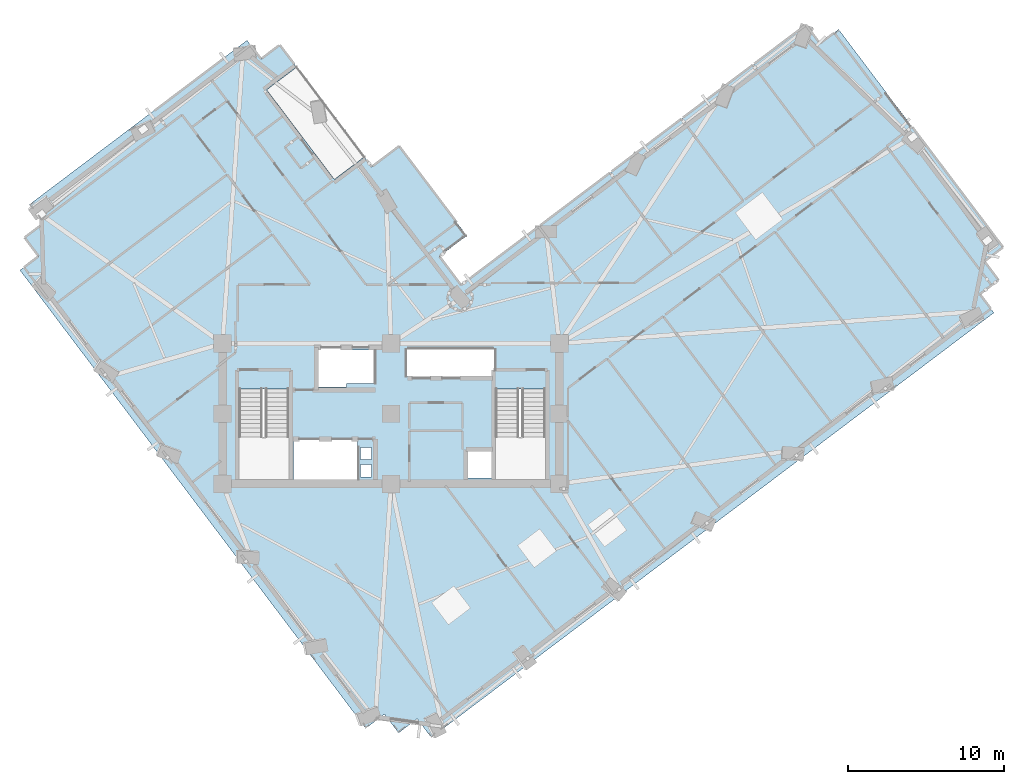
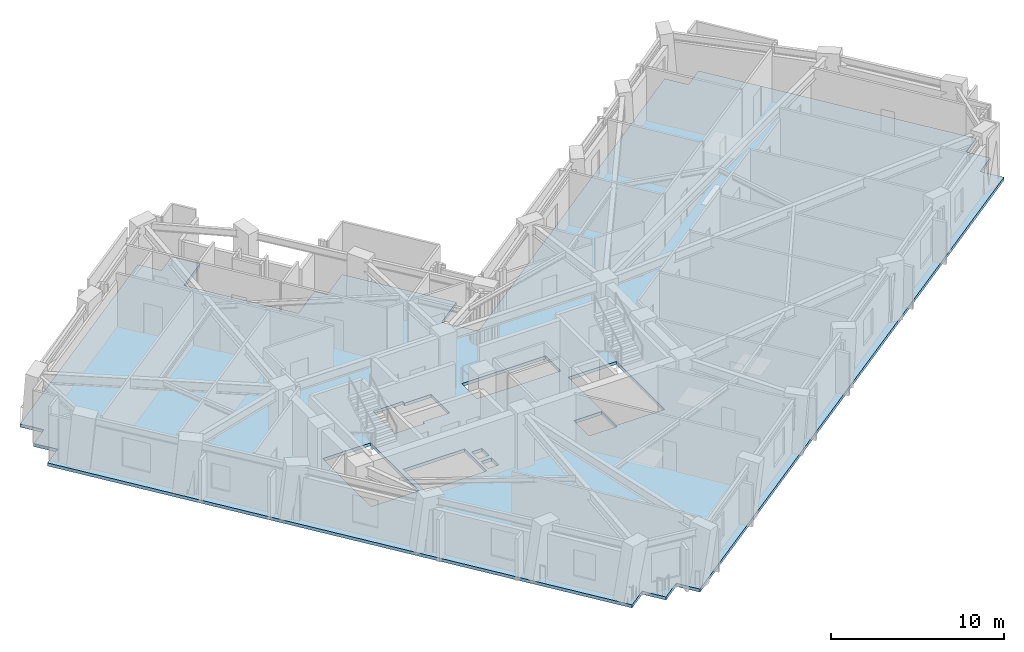
# One storey, part 3 of 15: 1 slab.
"""IFC4 building model written with IfcOpenShell, lengths in metres."""

from ifc_helpers import new_model, si_unit, direction, frame, origin, place, context, subcontext, project, spatial, polyline, outline, extrude, material, layer, layer_set, type_object, element, save


model = new_model("IFC4")

# Units and contexts
model_context = context("Model", 3, precision=1e-05, world=origin(), true_north=direction((0.0, 1.0)))
body_context = subcontext(model_context, "Body", "Model", "MODEL_VIEW")
ifc_project = project(units=[si_unit("LENGTHUNIT", "METRE"), si_unit("AREAUNIT", "SQUARE_METRE"), si_unit("VOLUMEUNIT", "CUBIC_METRE"), si_unit("PLANEANGLEUNIT", "RADIAN"), si_unit("MASSUNIT", "GRAM", prefix="KILO")], contexts=[model_context])

# Site, building, storey
site_placement = place(None, origin())
site = spatial("IfcSite", under=ifc_project, at=site_placement, CompositionType="ELEMENT")
building_placement = place(site_placement, origin())
building = spatial("IfcBuilding", under=site, at=building_placement, Name="Gaonmaruhae Medical Tower", CompositionType="ELEMENT")
storey_placement = place(building_placement, frame((0.0, 0.0, 181.800048828125)))
storey = spatial("IfcBuildingStorey", under=building, at=storey_placement, Name="L43", CompositionType="ELEMENT", Elevation=181.800048828125)

# Slab
ifc_material = material(Name="Concrete C40/50", Category="concrete")
ifc_layer = layer(ifc_material, 0.219970703125)
ifc_layer_set = layer_set([ifc_layer], Name="Concrete C40/50")
slab_type = type_object("IfcSlabType", Name="FS-220 Clinical Ward Composite Floor Slab", PredefinedType="FLOOR", material=ifc_layer_set)
slab_placement = place(storey_placement, frame((0.0, 0.0, -0.219970703125)))
element("IfcSlab", 1, at=slab_placement, inside=storey, type_object=slab_type, Name="L43 Structural Slab 1", PredefinedType="FLOOR", context=body_context, shape_type="SweptSolid", body=[
    extrude(outline(polyline([(51.40087890625, 37.236083984375), (52.3046875, 36.038818359375), (53.501953125, 36.942626953125), (64.0458984375, 22.9755859375), (62.8486328125, 22.072021484375), (63.75244140625, 20.874755859375), (62.555419921875, 19.970947265625), (63.458984375, 18.773681640625), (27.384521484375, -8.459716796875), (26.480712890625, -7.262451171875), (25.28369140625, -8.166259765625), (24.3798828125, -6.968994140625), (23.1826171875, -7.872802734375), (1.01025390625, 21.49755859375), (2.20751953125, 22.4013671875), (1.3037109375, 23.598388671875), (2.500732421875, 24.502197265625), (1.596923828125, 25.699462890625), (15.56396484375, 36.243408203125), (16.4677734375, 35.046142578125), (17.664794921875, 35.949951171875), (18.745849609375, 34.518310546875), (16.830322265625, 33.072021484375), (21.16845703125, 27.32568359375), (23.083984375, 28.771728515625), (23.56591796875, 28.13330078125), (25.32177734375, 29.458740234375), (29.659912109375, 23.71240234375), (27.904052734375, 22.386962890625), (29.293212890625, 20.54638671875), (51.40087890625, 37.236083984375)]), holes=[polyline([(23.550048828125, 8.25), (22.85009765625, 8.25), (22.85009765625, 9.050048828125), (23.550048828125, 9.050048828125), (23.550048828125, 8.25)]), polyline([(31.425048828125, 9.925048828125), (31.425048828125, 8.175048828125), (29.574951171875, 8.175048828125), (29.574951171875, 9.925048828125), (31.425048828125, 9.925048828125)]), polyline([(22.64990234375, 10.625), (22.64990234375, 8.074951171875), (18.550048828125, 8.074951171875), (18.550048828125, 10.625), (22.64990234375, 10.625)]), polyline([(23.550048828125, 9.35009765625), (22.85009765625, 9.35009765625), (22.85009765625, 10.14990234375), (23.550048828125, 10.14990234375), (23.550048828125, 9.35009765625)]), polyline([(15.050048828125, 13.889892578125), (18.25, 13.889892578125), (18.25, 8.300048828125), (15.050048828125, 8.300048828125), (15.050048828125, 13.889892578125)]), polyline([(31.5, 13.889892578125), (34.699951171875, 13.889892578125), (34.699951171875, 8.300048828125), (31.5, 8.300048828125), (31.5, 13.889892578125)]), polyline([(21.949951171875, 14.22509765625), (21.949951171875, 14.02490234375), (19.949951171875, 14.02490234375), (19.949951171875, 16.574951171875), (21.949951171875, 16.574951171875), (21.949951171875, 16.375), (23.72509765625, 16.375), (23.72509765625, 14.22509765625), (21.949951171875, 14.22509765625)]), polyline([(31.425048828125, 16.425048828125), (31.425048828125, 14.675048828125), (25.824951171875, 14.675048828125), (25.824951171875, 16.425048828125), (31.425048828125, 16.425048828125)])]), origin(), (0.0, 0.0, 1.0), 0.219970703125),
])

save(model, "model.ifc")
